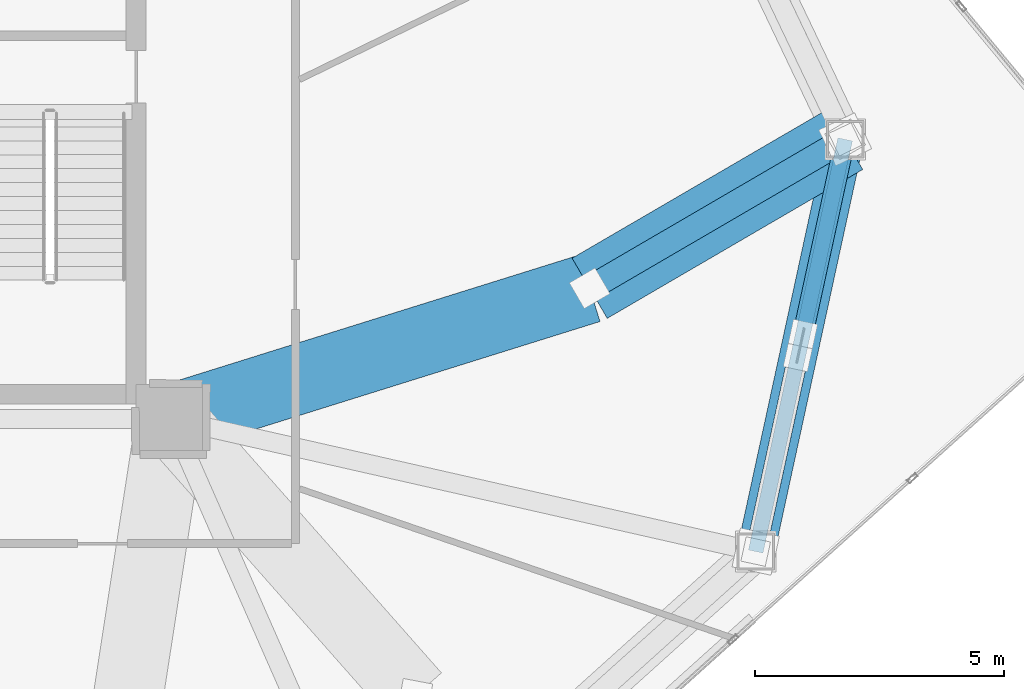
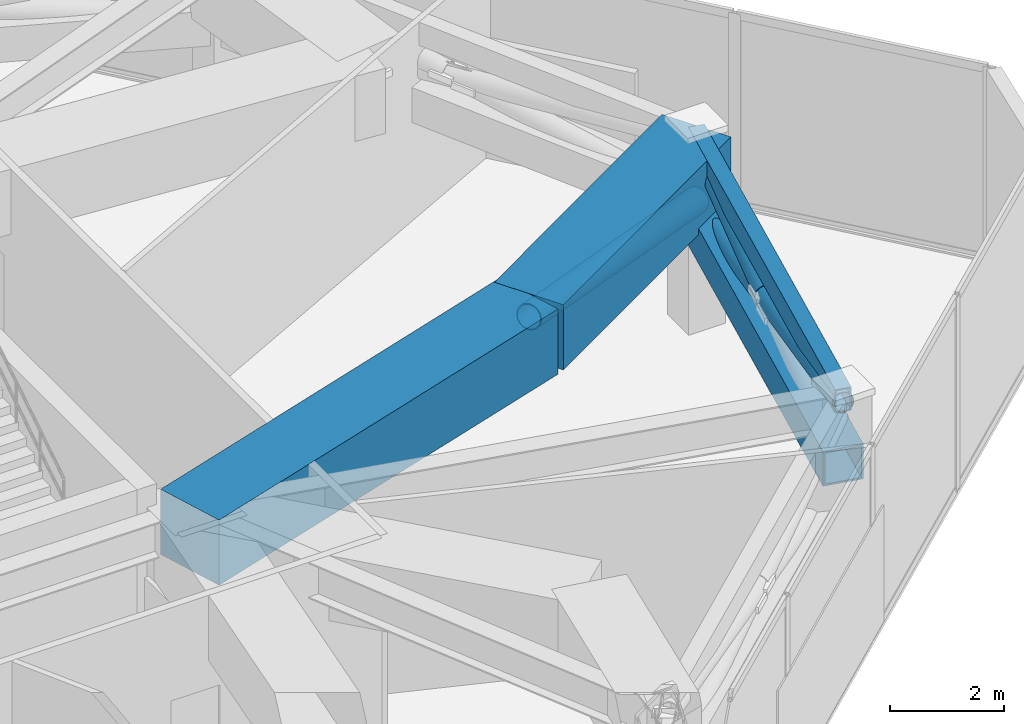
# One storey, part 12 of 25: 4 members, 3 beams.
"""IFC4 building model written with IfcOpenShell, lengths in metres."""

from ifc_helpers import new_model, si_unit, direction, frame, origin, origin_2d, place, context, subcontext, project, spatial, rectangle, hollow_rectangle, hollow_circle, extrude, source, transform, mapped, material, material_profile, profile_set, type_object, type_shapes, element, save


model = new_model("IFC4")

# Units and contexts
model_context = context("Model", 3, precision=1e-05, world=origin(), true_north=direction((0.0, 1.0)))
body_context = subcontext(model_context, "Body", "Model", "MODEL_VIEW")
ifc_project = project(units=[si_unit("LENGTHUNIT", "METRE"), si_unit("AREAUNIT", "SQUARE_METRE"), si_unit("VOLUMEUNIT", "CUBIC_METRE"), si_unit("PLANEANGLEUNIT", "RADIAN"), si_unit("MASSUNIT", "GRAM", prefix="KILO")], contexts=[model_context])

# Site, building, storey
site_placement = place(None, origin())
site = spatial("IfcSite", under=ifc_project, at=site_placement, CompositionType="ELEMENT")
building_placement = place(site_placement, origin())
building = spatial("IfcBuilding", under=site, at=building_placement, Name="Talar Marvaseh", CompositionType="ELEMENT")
storey_placement = place(building_placement, frame((0.0, 0.0, 84.800048828125)))
storey = spatial("IfcBuildingStorey", under=building, at=storey_placement, Name="L21", CompositionType="ELEMENT", Elevation=84.800048828125)

# Beams
ifc_material_1 = material(Name="Concrete C70/85", Category="concrete")
ifc_material_profile_1 = material_profile(ifc_material_1, rectangle(XDim=1.39990234375, YDim=1.39990234375, at=origin_2d()), Name="RC1400x1400")
ifc_profile_set_1 = profile_set([ifc_material_profile_1], Name="Concrete C70/85")
beam_type_1 = type_object("IfcBeamType", Name="Setback Deep Concrete Transfer Girder RC1400x1400", PredefinedType="BEAM", material=ifc_profile_set_1)
beam_1_placement = place(storey_placement, frame((46.841064453125, 31.118896484375, 3.449951171875), z_axis=(-0.863980076891, -0.503525994101, 0.0), x_axis=(0.503525994101, -0.863980076891, 0.0)))
element("IfcBeam", 1, at=beam_1_placement, inside=storey, type_object=beam_type_1, Name="L21 Setback Cantilever Transfer Girder 3", PredefinedType="BEAM", context=body_context, shape_type="SweptSolid", body=[
    extrude(rectangle(XDim=1.39990234375, YDim=1.39990234375, at=origin_2d()), origin(), (0.0, 0.0, 1.0), 5.93994140625),
])
beam_2_placement = place(storey_placement, frame((41.708984375, 28.1279296875, 3.449951171875), z_axis=(-0.954475540106, -0.298289194138, 0.0), x_axis=(0.298289194138, -0.954475540106, 0.0)))
element("IfcBeam", 2, at=beam_2_placement, inside=storey, type_object=beam_type_1, Name="L21 Setback Backspan Transfer Girder 3", PredefinedType="BEAM", context=body_context, shape_type="SweptSolid", body=[
    extrude(rectangle(XDim=1.39990234375, YDim=1.39990234375, at=origin_2d()), origin(), (0.0, 0.0, 1.0), 8.81005859375),
])
ifc_material_2 = material(Name="Steel S355", Category="steel")
ifc_material_profile_2 = material_profile(ifc_material_2, hollow_rectangle(XDim=0.300048828125, YDim=0.5, WallThickness=0.02001953125, at=origin_2d()), Name="RHS500x300x20")
ifc_profile_set_2 = profile_set([ifc_material_profile_2], Name="Steel S355")
beam_type_2 = type_object("IfcBeamType", Name="Zone 1 Perimeter Spandrel Beam RHS500x300x20", PredefinedType="SPANDREL", material=ifc_profile_set_2)
beam_3_placement = place(storey_placement, frame((46.841064453125, 31.118896484375, 3.89990234375), z_axis=(-0.212134113363, -0.977240562987, 0.0), x_axis=(0.977240562987, -0.212134113363, 0.0)))
element("IfcBeam", 3, at=beam_3_placement, inside=storey, type_object=beam_type_2, Name="L21 Zone 1 Perimeter Spandrel Beam RHS500x300x20", PredefinedType="SPANDREL", context=body_context, shape_type="SweptSolid", body=[
    extrude(hollow_rectangle(XDim=0.300048828125, YDim=0.5, WallThickness=0.02001953125, at=origin_2d()), origin(), (0.0, 0.0, 1.0), 8.4716796875),
])

# Members
ifc_material_3 = material(Name="Steel S460", Category="steel")
ifc_material_profile_3 = material_profile(ifc_material_3, hollow_circle(Radius=0.25390625, WallThickness=0.02001953125, at=origin_2d()), Name="CHS508x20")
ifc_profile_set_3 = profile_set([ifc_material_profile_3], Name="Steel S460")
member_type_1 = type_object("IfcMemberType", Name="Crown Frame Diagonal Brace CHS508x20", PredefinedType="BRACE", material=ifc_profile_set_3)
shared_shape_1 = source(origin(), body_context, "Body", "SweptSolid", [
    extrude(hollow_circle(Radius=0.25390625, WallThickness=0.02001953125, at=origin_2d()), origin(), (0.0, 0.0, 1.0), 6.041015625),
])
type_shapes(member_type_1, [shared_shape_1])
member_1_placement = place(storey_placement, frame((46.841064453125, 31.118896484375, 2.550048828125), z_axis=(-0.849540023888, -0.495110357864, 0.18206449777), x_axis=(0.503525994101, -0.863980076891, 0.0)))
element("IfcMember", 4, at=member_1_placement, inside=storey, type_object=member_type_1, Name="L21 Setback Transfer Raked Strut 3", PredefinedType="BRACE", context=body_context, shape_type="MappedRepresentation", body=[
    mapped(shared_shape_1, transform((0.0, 0.0, 0.0), x_axis=(1.0, 0.0, 0.0), y_axis=(0.0, 1.0, 0.0), z_axis=(0.0, 0.0, 1.0), scale=1.0)),
])
ifc_material_profile_4 = material_profile(ifc_material_3, hollow_rectangle(XDim=0.75, YDim=0.75, WallThickness=0.0400390625, at=origin_2d()), Name="BOX750x750x40")
ifc_profile_set_4 = profile_set([ifc_material_profile_4], Name="Steel S460")
member_type_2 = type_object("IfcMemberType", Name="Belt Truss Chord Member BOX750x750x40", PredefinedType="CHORD", material=ifc_profile_set_4)
shared_shape_2 = source(origin(), body_context, "Body", "SweptSolid", [
    extrude(hollow_rectangle(XDim=0.75, YDim=0.75, WallThickness=0.0400390625, at=origin_2d()), origin(), (0.0, 0.0, 1.0), 8.4716796875),
])
type_shapes(member_type_2, [shared_shape_2])
member_2_placement = place(storey_placement, frame((46.841064453125, 31.118896484375, 2.5), z_axis=(-0.212134113363, -0.977240562987, 0.0), x_axis=(0.977240562987, -0.212134113363, 0.0)))
element("IfcMember", 5, at=member_2_placement, inside=storey, type_object=member_type_2, Name="L21 Belt Truss Bottom Chord 2", PredefinedType="CHORD", context=body_context, shape_type="MappedRepresentation", body=[
    mapped(shared_shape_2, transform((0.0, 0.0, 0.0), x_axis=(1.0, 0.0, 0.0), y_axis=(0.0, 1.0, 0.0), z_axis=(0.0, 0.0, 1.0), scale=1.0)),
])
ifc_material_profile_5 = material_profile(ifc_material_3, hollow_circle(Radius=0.203125, WallThickness=0.01611328125, at=origin_2d()), Name="CHS406x16")
ifc_profile_set_5 = profile_set([ifc_material_profile_5], Name="Steel S460")
member_type_3 = type_object("IfcMemberType", Name="Belt Truss Diagonal Brace CHS406x16", PredefinedType="BRACE", material=ifc_profile_set_5)
shared_shape_3 = source(origin(), body_context, "Body", "SweptSolid", [
    extrude(hollow_circle(Radius=0.203125, WallThickness=0.01611328125, at=origin_2d()), origin(), (0.0, 0.0, 1.0), 8.578369140625),
])
member_3_placement = place(storey_placement, frame((46.841064453125, 31.118896484375, 2.5), z_axis=(-0.209491423737, -0.965066455497, 0.157353359848), x_axis=(0.977240562987, -0.212134113363, 0.0)))
element("IfcMember", 6, at=member_3_placement, inside=storey, type_object=member_type_3, Name="L21 Belt Truss Continuous Diagonal 2", PredefinedType="BRACE", context=body_context, shape_type="MappedRepresentation", body=[
    mapped(shared_shape_3, transform((0.0, 0.0, 0.0), x_axis=(1.0, 0.0, 0.0), y_axis=(0.0, 1.0, 0.0), z_axis=(0.0, 0.0, 1.0), scale=1.0)),
])
shared_shape_4 = source(origin(), body_context, "Body", "SweptSolid", [
    extrude(hollow_circle(Radius=0.203125, WallThickness=0.01611328125, at=origin_2d()), origin(), (0.0, 0.0, 1.0), 4.049072265625),
])
type_shapes(member_type_3, [shared_shape_3, shared_shape_4])
member_4_placement = place(storey_placement, frame((45.992919921875, 27.211181640625, 3.212646484375), z_axis=(0.209462354279, 0.965070363439, 0.157368090002), x_axis=(-0.977246842948, 0.212105181332, 0.0)))
element("IfcMember", 7, at=member_4_placement, inside=storey, type_object=member_type_3, Name="L21 Belt Truss Split Diagonal Upper 2", PredefinedType="BRACE", context=body_context, shape_type="MappedRepresentation", body=[
    mapped(shared_shape_4, transform((0.0, 0.0, 0.0), x_axis=(1.0, 0.0, 0.0), y_axis=(0.0, 1.0, 0.0), z_axis=(0.0, 0.0, 1.0), scale=1.0)),
])

save(model, "model.ifc")
